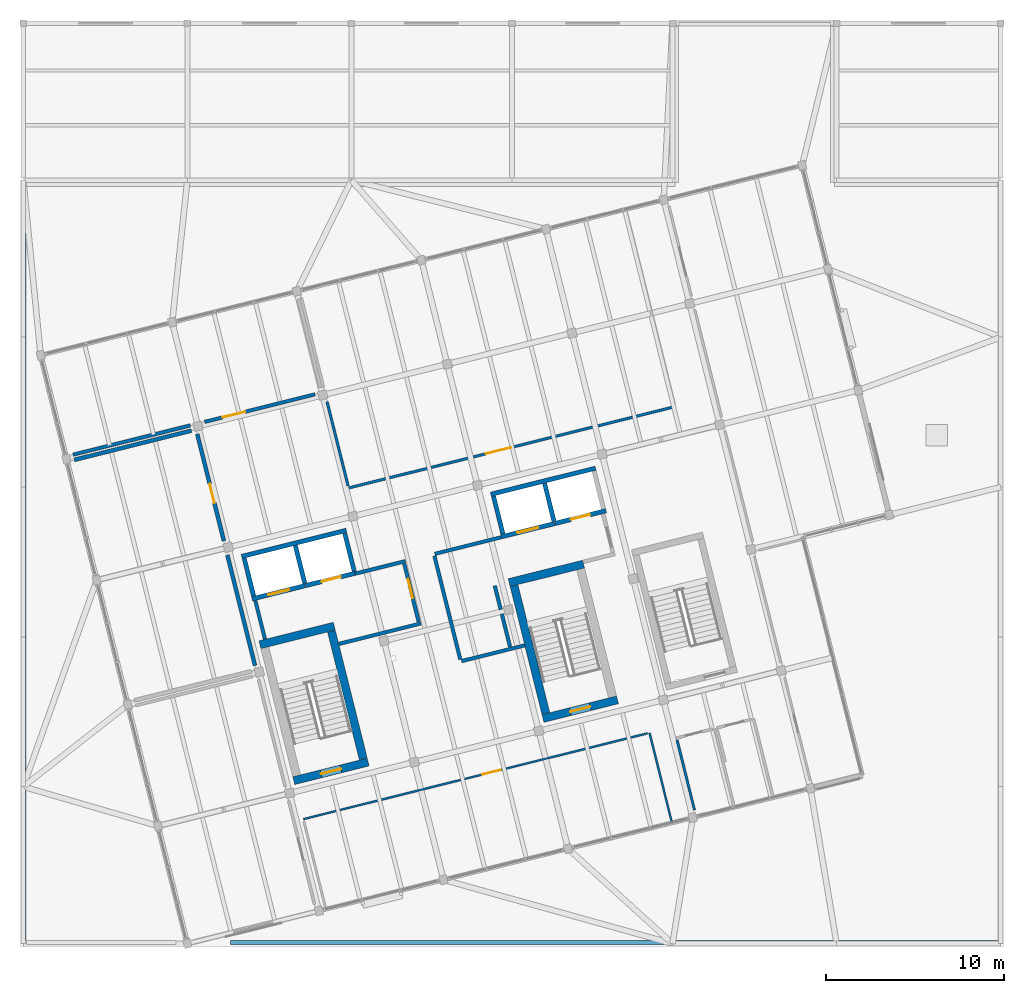
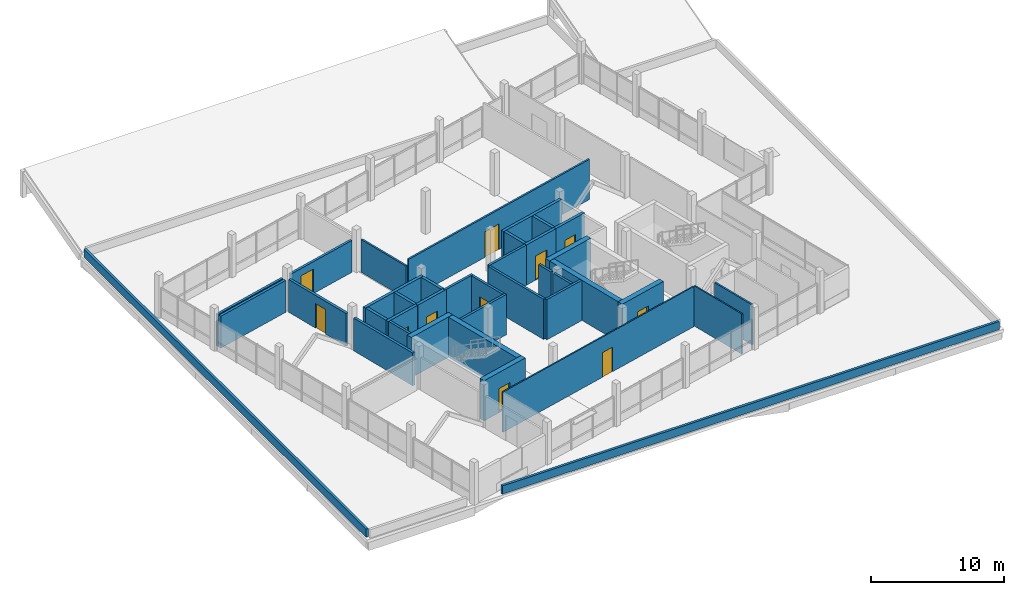
# One storey, part 34 of 37: 38 walls, 11 doors, 11 openings.
"""IFC4 building model written with IfcOpenShell, lengths in metres."""

from ifc_helpers import new_model, si_unit, direction, frame, frame_2d, origin, place, context, subcontext, project, spatial, rectangle, extrude, material, layer, layer_set, type_object, element, fill, save


model = new_model("IFC4")

# Units and contexts
model_context = context("Model", 3, precision=1e-05, world=origin(), true_north=direction((0.0, 1.0)))
body_context = subcontext(model_context, "Body", "Model", "MODEL_VIEW")
ifc_project = project(units=[si_unit("LENGTHUNIT", "METRE"), si_unit("AREAUNIT", "SQUARE_METRE"), si_unit("VOLUMEUNIT", "CUBIC_METRE"), si_unit("PLANEANGLEUNIT", "RADIAN"), si_unit("MASSUNIT", "GRAM", prefix="KILO")], contexts=[model_context])

# Site, building, storey
site_placement = place(None, origin())
site = spatial("IfcSite", under=ifc_project, at=site_placement, CompositionType="ELEMENT")
building_placement = place(site_placement, origin())
building = spatial("IfcBuilding", under=site, at=building_placement, Name="Meriwether Solvik Hall", CompositionType="ELEMENT")
storey_placement = place(building_placement, frame((0.0, 0.0, 26.10009765625)))
storey = spatial("IfcBuildingStorey", under=building, at=storey_placement, Name="L06", CompositionType="ELEMENT", Elevation=26.10009765625)

# Wall
ifc_material_1 = material(Name="Acoustic Mineral-Wool Double Gypsum Board", Category="gypsum")
ifc_layer_1 = layer(ifc_material_1, 0.219970703125)
ifc_layer_set_1 = layer_set([ifc_layer_1], Name="Acoustic Mineral-Wool Double Gypsum Board")
wall_type_1 = type_object("IfcWallType", Name="WALL-ACST-220", PredefinedType="PARTITIONING", material=ifc_layer_set_1)
wall_1_placement = place(storey_placement, frame((72.39013671875, 56.793701171875, 0.0), z_axis=(0.0, 0.0, 1.0), x_axis=(-0.241922822951, 0.970295495061, 0.0)))
element("IfcWall", 1, at=wall_1_placement, inside=storey, type_object=wall_type_1, Name="L06 Interior Partition cls_6b_e", PredefinedType="PARTITIONING", context=body_context, shape_type="SweptSolid", body=[
    extrude(rectangle(XDim=6.375, YDim=0.219970703125, at=frame_2d((3.1875, 0.0))), origin(), (0.0, 0.0, 1.0), 2.994873046875),
])

# Wall, opening, door
wall_2_placement = place(storey_placement, frame((70.648193359375, 63.77978515625, 0.0), z_axis=(0.0, 0.0, 1.0), x_axis=(-0.241884380789, 0.970305078999, 0.0)))
wall_2 = element("IfcWall", 2, at=wall_2_placement, inside=storey, type_object=wall_type_1, Name="L06 Interior Partition cls_6b_e_s2", PredefinedType="PARTITIONING", context=body_context, shape_type="SweptSolid", body=[
    extrude(rectangle(XDim=6.175048828125, YDim=0.219970703125, at=frame_2d((3.08740234375, 0.0))), origin(), (0.0, 0.0, 1.0), 2.994873046875),
])
opening_1_placement = place(wall_2_placement, frame((2.1865234375, 0.0, 0.0)))
opening_1 = element("IfcOpeningElement", 3, at=opening_1_placement, cuts=wall_2, Name="Opening D-104", PredefinedType="OPENING", context=body_context, shape_type="SweptSolid", body=[
    extrude(rectangle(XDim=1.10009765625, YDim=2.25, at=frame_2d((0.550048828125, 1.125))), frame((0.0, 0.1220703125, 0.0), z_axis=(0.0, -1.0, 0.0), x_axis=(1.0, 0.0, 0.0)), (0.0, 0.0, 1.0), 0.243896484375),
])
ifc_material_2 = material(Name="Laminated Vision Glass and Solid White Oak Timber", Category="wood")
door_type_1 = type_object("IfcDoorType", Name="DR-CLS-1100R", OperationType="SINGLE_SWING_RIGHT", PredefinedType="DOOR", material=ifc_material_2)
door_1_placement = place(opening_1_placement, origin())
door_1 = element("IfcDoor", 4, at=door_1_placement, inside=storey, type_object=door_type_1, Name="L06 Music Theory Classroom Door", OperationType="SINGLE_SWING_RIGHT", OverallHeight=2.25, OverallWidth=1.10009765625, PredefinedType="DOOR", context=body_context, shape_type="SweptSolid", body=[
    extrude(rectangle(XDim=1.10009765625, YDim=2.25, at=frame_2d((0.550048828125, 1.125))), frame((0.0, 0.02490234375, 0.0), z_axis=(0.0, -1.0, 0.0), x_axis=(1.0, 0.0, 0.0)), (0.0, 0.0, 1.0), 0.050048828125),
])
fill(opening_1, door_1)

# Walls
wall_3_placement = place(storey_placement, frame((68.83544921875, 69.96142578125, 0.0), z_axis=(0.0, 0.0, 1.0), x_axis=(-0.97029069988, -0.241942054482, 0.0)))
element("IfcWall", 5, at=wall_3_placement, inside=storey, type_object=wall_type_1, Name="L06 Interior Partition cls_6b_n", PredefinedType="PARTITIONING", context=body_context, shape_type="SweptSolid", body=[
    extrude(rectangle(XDim=6.77490234375, YDim=0.219970703125, at=frame_2d((3.387451171875, 0.0))), origin(), (0.0, 0.0, 1.0), 2.919921875),
])
ifc_material_3 = material(Name="Fire-Rated Type X Gypsum Board", Category="gypsum")
ifc_layer_2 = layer(ifc_material_3, 0.199951171875)
ifc_layer_set_2 = layer_set([ifc_layer_2], Name="Fire-Rated Type X Gypsum Board")
wall_type_2 = type_object("IfcWallType", Name="WALL-FIRE-200", PredefinedType="STANDARD", material=ifc_layer_set_2)
wall_4_placement = place(storey_placement, frame((72.94970703125, 58.269287109375, 0.0), z_axis=(0.0, 0.0, 1.0), x_axis=(-0.24194311862, 0.970290434536, 0.0)))
element("IfcWall", 6, at=wall_4_placement, inside=storey, type_object=wall_type_2, Name="L06 Interior Partition lb1_w", PredefinedType="STANDARD", context=body_context, shape_type="SweptSolid", body=[
    extrude(rectangle(XDim=2.22998046875, YDim=0.199951171875, at=frame_2d((1.114990234375, 0.0))), origin(), (0.0, 0.0, 1.0), 3.679931640625),
])
wall_5_placement = place(storey_placement, frame((77.096923828125, 58.0048828125, 0.0), z_axis=(0.0, 0.0, 1.0), x_axis=(0.970305892741, 0.241881116483, 0.0)))
element("IfcWall", 7, at=wall_5_placement, inside=storey, type_object=wall_type_2, Name="L06 Interior Partition lb1_s", PredefinedType="STANDARD", context=body_context, shape_type="SweptSolid", body=[
    extrude(rectangle(XDim=4.73974609375, YDim=0.199951171875, at=frame_2d((2.369873046875, 0.0))), origin(), (0.0, 0.0, 1.0), 3.679931640625),
])
wall_6_placement = place(storey_placement, frame((77.991943359375, 61.938232421875, 0.0), z_axis=(0.0, 0.0, 1.0), x_axis=(0.970304586447, 0.241886356621, 0.0)))
element("IfcWall", 8, at=wall_6_placement, inside=storey, type_object=wall_type_2, Name="L06 Interior Partition lb1_n_cap", PredefinedType="STANDARD", context=body_context, shape_type="SweptSolid", body=[
    extrude(rectangle(XDim=2.919921875, YDim=0.199951171875, at=frame_2d((1.4599609375, 0.0))), origin(), (0.0, 0.0, 1.0), 3.679931640625),
])

# Wall, opening, door
wall_7_placement = place(storey_placement, frame((80.75732421875, 62.50390625, 0.0), z_axis=(0.0, 0.0, 1.0), x_axis=(0.241885902723, -0.970304699599, 0.0)))
wall_7 = element("IfcWall", 9, at=wall_7_placement, inside=storey, type_object=wall_type_2, Name="L06 Interior Partition lb1_e", PredefinedType="STANDARD", context=body_context, shape_type="SweptSolid", body=[
    extrude(rectangle(XDim=3.360107421875, YDim=0.199951171875, at=frame_2d((1.68017578125, 0.0))), origin(), (0.0, 0.0, 1.0), 3.679931640625),
])
opening_2_placement = place(wall_7_placement, frame((0.889892578125, 0.0, 0.0)))
opening_2 = element("IfcOpeningElement", 10, at=opening_2_placement, cuts=wall_7, Name="Opening D-168", PredefinedType="OPENING", context=body_context, shape_type="SweptSolid", body=[
    extrude(rectangle(XDim=1.10009765625, YDim=2.199951171875, at=frame_2d((0.550048828125, 1.10009765625))), frame((0.0, 0.11181640625, 0.0), z_axis=(0.0, -1.0, 0.0), x_axis=(1.0, 0.0, 0.0)), (0.0, 0.0, 1.0), 0.223876953125),
])
ifc_material_4 = material(Name="Steel A36 Galvanised", Category="steel")
door_type_2 = type_object("IfcDoorType", Name="DR-FD60-1100L", OperationType="SINGLE_SWING_LEFT", PredefinedType="DOOR", material=ifc_material_4)
door_2_placement = place(opening_2_placement, origin())
door_2 = element("IfcDoor", 11, at=door_2_placement, inside=storey, type_object=door_type_2, Name="West FSAE Lift Lobby Door (L06)", OperationType="SINGLE_SWING_LEFT", OverallHeight=2.199951171875, OverallWidth=1.10009765625, PredefinedType="DOOR", context=body_context, shape_type="SweptSolid", body=[
    extrude(rectangle(XDim=1.10009765625, YDim=2.199951171875, at=frame_2d((0.550048828125, 1.10009765625))), frame((0.0, 0.02490234375, 0.0), z_axis=(0.0, -1.0, 0.0), x_axis=(1.0, 0.0, 0.0)), (0.0, 0.0, 1.0), 0.050048828125),
])
fill(opening_2, door_2)

# Walls
wall_8_placement = place(storey_placement, frame((82.452880859375, 62.93701171875, 0.0), z_axis=(0.0, 0.0, 1.0), x_axis=(0.241891967324, -0.970303187743, 0.0)))
element("IfcWall", 12, at=wall_8_placement, inside=storey, type_object=wall_type_2, Name="L06 Interior Partition lb2_w", PredefinedType="STANDARD", context=body_context, shape_type="SweptSolid", body=[
    extrude(rectangle(XDim=5.97998046875, YDim=0.199951171875, at=frame_2d((2.989990234375, 0.0))), origin(), (0.0, 0.0, 1.0), 3.679931640625),
])
wall_9_placement = place(storey_placement, frame((83.972412109375, 57.03955078125, 0.0), z_axis=(0.0, 0.0, 1.0), x_axis=(0.97030000841, 0.241904720251, 0.0)))
element("IfcWall", 13, at=wall_9_placement, inside=storey, type_object=wall_type_2, Name="L06 Interior Partition lb2_s_w", PredefinedType="STANDARD", context=body_context, shape_type="SweptSolid", body=[
    extrude(rectangle(XDim=3.642333984375, YDim=0.199951171875, at=frame_2d((1.8212890625, 0.0))), origin(), (0.0, 0.0, 1.0), 3.679931640625),
])
wall_10_placement = place(storey_placement, frame((86.691650390625, 57.841064453125, 0.0), z_axis=(0.0, 0.0, 1.0), x_axis=(-0.241992731984, 0.970278062035, 0.0)))
element("IfcWall", 14, at=wall_10_placement, inside=storey, type_object=wall_type_2, Name="L06 Interior Partition lb2_e_low", PredefinedType="STANDARD", context=body_context, shape_type="SweptSolid", body=[
    extrude(rectangle(XDim=1.90478515625, YDim=0.199951171875, at=frame_2d((0.952392578125, 0.0))), origin(), (0.0, 0.0, 1.0), 3.679931640625),
])
wall_11_placement = place(storey_placement, frame((86.169921875, 59.932861328125, 0.0), z_axis=(0.0, 0.0, 1.0), x_axis=(-0.241824833036, 0.970319921535, 0.0)))
element("IfcWall", 15, at=wall_11_placement, inside=storey, type_object=wall_type_2, Name="L06 Interior Partition lb2_e_low_s2", PredefinedType="STANDARD", context=body_context, shape_type="SweptSolid", body=[
    extrude(rectangle(XDim=1.3740234375, YDim=0.199951171875, at=frame_2d((0.68701171875, 0.0))), origin(), (0.0, 0.0, 1.0), 3.679931640625),
])
wall_12_placement = place(storey_placement, frame((82.47265625, 63.05517578125, 0.0), z_axis=(0.0, 0.0, 1.0), x_axis=(0.970284368558, 0.241967444366, 0.0)))
element("IfcWall", 16, at=wall_12_placement, inside=storey, type_object=wall_type_2, Name="L06 Interior Partition lb2_n_cap_w", PredefinedType="STANDARD", context=body_context, shape_type="SweptSolid", body=[
    extrude(rectangle(XDim=3.84228515625, YDim=0.199951171875, at=frame_2d((1.921142578125, 0.0))), origin(), (0.0, 0.0, 1.0), 3.679931640625),
])
wall_13_placement = place(storey_placement, frame((62.191162109375, 68.61376953125, 0.0), z_axis=(0.0, 0.0, 1.0), x_axis=(0.97029069988, 0.241942054482, 0.0)))
element("IfcWall", 17, at=wall_13_placement, inside=storey, type_object=wall_type_2, Name="L06 Interior Partition lab_nw_s", PredefinedType="STANDARD", context=body_context, shape_type="SweptSolid", body=[
    extrude(rectangle(XDim=6.77490234375, YDim=0.199951171875, at=frame_2d((3.387451171875, 0.0))), origin(), (0.0, 0.0, 1.0), 2.919921875),
])

# Wall, opening, door
wall_14_placement = place(storey_placement, frame((69.5654296875, 70.452392578125, 0.0), z_axis=(0.0, 0.0, 1.0), x_axis=(0.970297736337, 0.241913833542, 0.0)))
wall_14 = element("IfcWall", 18, at=wall_14_placement, inside=storey, type_object=wall_type_2, Name="L06 Interior Partition lab_nw_s_s2", PredefinedType="STANDARD", context=body_context, shape_type="SweptSolid", body=[
    extrude(rectangle(XDim=6.375244140625, YDim=0.199951171875, at=frame_2d((3.1875, 0.0))), origin(), (0.0, 0.0, 1.0), 2.919921875),
])
opening_3_placement = place(wall_14_placement, frame((1.039794921875, 0.0, 0.0)))
opening_3 = element("IfcOpeningElement", 19, at=opening_3_placement, cuts=wall_14, Name="Opening D-162", PredefinedType="OPENING", context=body_context, shape_type="SweptSolid", body=[
    extrude(rectangle(XDim=1.300048828125, YDim=2.25, at=frame_2d((0.64990234375, 1.125))), frame((0.0, 0.11181640625, 0.0), z_axis=(0.0, -1.0, 0.0), x_axis=(1.0, 0.0, 0.0)), (0.0, 0.0, 1.0), 0.223876953125),
])
ifc_material_5 = material(Name="Steel A36 Galvanised", Category="steel")
door_type_3 = type_object("IfcDoorType", Name="DR-FD60-1300L", OperationType="SINGLE_SWING_LEFT", PredefinedType="DOOR", material=ifc_material_5)
door_3_placement = place(opening_3_placement, origin())
door_3 = element("IfcDoor", 20, at=door_3_placement, inside=storey, type_object=door_type_3, Name="L06 Environmental Science Lab Door", OperationType="SINGLE_SWING_LEFT", OverallHeight=2.25, OverallWidth=1.300048828125, PredefinedType="DOOR", context=body_context, shape_type="SweptSolid", body=[
    extrude(rectangle(XDim=1.300048828125, YDim=2.25, at=frame_2d((0.64990234375, 1.125))), frame((0.0, 0.02490234375, 0.0), z_axis=(0.0, -1.0, 0.0), x_axis=(1.0, 0.0, 0.0)), (0.0, 0.0, 1.0), 0.050048828125),
])
fill(opening_3, door_3)

# Wall
ifc_material_6 = material(Name="Tempered Laminated Glass in Anodised Aluminium Frame", Category="aluminium")
ifc_layer_3 = layer(ifc_material_6, 0.112060546875)
ifc_layer_set_3 = layer_set([ifc_layer_3], Name="Tempered Laminated Glass in Anodised Aluminium Frame")
wall_type_3 = type_object("IfcWallType", Name="WALL-GLZ-112", PredefinedType="PARTITIONING", material=ifc_layer_set_3)
wall_15_placement = place(storey_placement, frame((95.753662109375, 48.031982421875, 0.0), z_axis=(0.0, 0.0, 1.0), x_axis=(-0.241909712362, 0.970298763817, 0.0)))
element("IfcWall", 21, at=wall_15_placement, inside=storey, type_object=wall_type_3, Name="L06 Interior Partition conf_s_e", PredefinedType="PARTITIONING", context=body_context, shape_type="SweptSolid", body=[
    extrude(rectangle(XDim=5.139892578125, YDim=0.112060546875, at=frame_2d((2.56982421875, 0.0))), origin(), (0.0, 0.0, 1.0), 3.679931640625),
])

# Wall, opening, door
wall_16_placement = place(storey_placement, frame((94.393798828125, 52.990234375, 0.0), z_axis=(0.0, 0.0, 1.0), x_axis=(-0.970296895219, -0.241917207175, 0.0)))
wall_16 = element("IfcWall", 22, at=wall_16_placement, inside=storey, type_object=wall_type_3, Name="L06 Interior Partition conf_s_n", PredefinedType="PARTITIONING", context=body_context, shape_type="SweptSolid", body=[
    extrude(rectangle(XDim=19.880126953125, YDim=0.112060546875, at=frame_2d((9.93994140625, 0.0))), origin(), (0.0, 0.0, 1.0), 3.679931640625),
])
opening_4_placement = place(wall_16_placement, frame((8.484375, 0.0, 0.0)))
opening_4 = element("IfcOpeningElement", 23, at=opening_4_placement, cuts=wall_16, Name="Opening D-175", PredefinedType="OPENING", context=body_context, shape_type="SweptSolid", body=[
    extrude(rectangle(XDim=1.050048828125, YDim=2.25, at=frame_2d((0.52490234375, 1.125))), frame((0.0, 0.06787109375, 0.0), z_axis=(0.0, -1.0, 0.0), x_axis=(1.0, 0.0, 0.0)), (0.0, 0.0, 1.0), 0.135986328125),
])
ifc_material_7 = material(Name="Solid-Core Rift White Oak Timber", Category="wood")
door_type_4 = type_object("IfcDoorType", Name="DR-FEL-1050L", OperationType="SINGLE_SWING_LEFT", PredefinedType="DOOR", material=ifc_material_7)
door_4_placement = place(opening_4_placement, origin())
door_4 = element("IfcDoor", 24, at=door_4_placement, inside=storey, type_object=door_type_4, Name="L06 Faculty Caucus Room Door", OperationType="SINGLE_SWING_LEFT", OverallHeight=2.25, OverallWidth=1.050048828125, PredefinedType="DOOR", context=body_context, shape_type="SweptSolid", body=[
    extrude(rectangle(XDim=1.050048828125, YDim=2.25, at=frame_2d((0.52490234375, 1.125))), frame((0.0, 0.02490234375, 0.0), z_axis=(0.0, -1.0, 0.0), x_axis=(1.0, 0.0, 0.0)), (0.0, 0.0, 1.0), 0.050048828125),
])
fill(opening_4, door_4)

# Walls
ifc_material_8 = material(Name="Concrete C40/50", Category="concrete")
ifc_layer_4 = layer(ifc_material_8, 0.25)
ifc_layer_set_4 = layer_set([ifc_layer_4], Name="Concrete C40/50")
wall_type_4 = type_object("IfcWallType", Name="WALL-HOIST-250", PredefinedType="SHEAR", material=ifc_layer_set_4)
wall_17_placement = place(storey_placement, frame((77.509765625, 64.36865234375, 0.0), z_axis=(0.0, 0.0, 1.0), x_axis=(-0.970296596103, -0.241918406889, 0.0)))
element("IfcWall", 25, at=wall_17_placement, inside=storey, type_object=wall_type_4, Name="Hoistway BANK1 North Wall (L06)", PredefinedType="SHEAR", context=body_context, shape_type="SweptSolid", body=[
    extrude(rectangle(XDim=6.050048828125, YDim=0.25, at=frame_2d((3.02490234375, 0.0))), origin(), (0.0, 0.0, 1.0), 3.679931640625),
])
for number, where, z_axis, x_axis, name in (
    (26, (71.793212890625, 62.80419921875, 0.0), (0.0, 0.0, 1.0), (0.242008581424, -0.970274108959, 0.0), "Hoistway BANK1 West Wall (L06)"),
    (27, (77.948486328125, 62.09228515625, 0.0), (0.0, 0.0, 1.0), (-0.241903146974, 0.970300400641, 0.0), "Hoistway BANK1 East Wall (L06)"),
    (28, (75.18310546875, 61.402587890625, 0.0), (0.0, 0.0, 1.0), (-0.241903146974, 0.970300400641, 0.0), "Hoistway BANK1 Divider Pier (L06)"),
):
    element("IfcWall", number, at=place(storey_placement, frame(where, z_axis=z_axis, x_axis=x_axis)), inside=storey, type_object=wall_type_4, Name=name, PredefinedType="SHEAR", context=body_context, shape_type="SweptSolid", body=[
        extrude(rectangle(XDim=2.179931640625, YDim=0.25, at=frame_2d((1.08984375, 0.0))), origin(), (0.0, 0.0, 1.0), 3.679931640625),
    ])

# Wall, opening, door
wall_18_placement = place(storey_placement, frame((72.232177734375, 60.52783203125, 0.0), z_axis=(0.0, 0.0, 1.0), x_axis=(0.970296930481, 0.241917065747, 0.0)))
wall_18 = element("IfcWall", 29, at=wall_18_placement, inside=storey, type_object=wall_type_4, Name="Lift LF-01 Landing Wall (L06)", PredefinedType="SHEAR", context=body_context, shape_type="SweptSolid", body=[
    extrude(rectangle(XDim=3.06494140625, YDim=0.25, at=frame_2d((1.532470703125, 0.0))), origin(), (0.0, 0.0, 1.0), 3.679931640625),
])
opening_5_placement = place(wall_18_placement, frame((0.9326171875, 0.0, 0.0)))
opening_5 = element("IfcOpeningElement", 30, at=opening_5_placement, cuts=wall_18, Name="Opening LD-01", PredefinedType="OPENING", context=body_context, shape_type="SweptSolid", body=[
    extrude(rectangle(XDim=1.199951171875, YDim=2.199951171875, at=frame_2d((0.60009765625, 1.10009765625))), frame((0.0, 0.136962890625, 0.0), z_axis=(0.0, -1.0, 0.0), x_axis=(1.0, 0.0, 0.0)), (0.0, 0.0, 1.0), 0.27392578125),
])
ifc_material_9 = material(Name="Stainless Steel AISI 316", Category="steel")
door_type_5 = type_object("IfcDoorType", Name="DR-LIFT-FSAE", OperationType="DOUBLE_DOOR_SLIDING", PredefinedType="DOOR", material=ifc_material_9)
door_5_placement = place(opening_5_placement, origin())
door_5 = element("IfcDoor", 31, at=door_5_placement, inside=storey, type_object=door_type_5, Name="Lift Landing Door LF-01 (L06)", OperationType="DOUBLE_DOOR_SLIDING", OverallHeight=2.199951171875, OverallWidth=1.199951171875, PredefinedType="DOOR", context=body_context, shape_type="SweptSolid", body=[
    extrude(rectangle(XDim=1.199951171875, YDim=2.199951171875, at=frame_2d((0.60009765625, 1.10009765625))), frame((0.0, 0.02490234375, 0.0), z_axis=(0.0, -1.0, 0.0), x_axis=(1.0, 0.0, 0.0)), (0.0, 0.0, 1.0), 0.050048828125),
])
fill(opening_5, door_5)

wall_19_placement = place(storey_placement, frame((75.225341796875, 61.274169921875, 0.0), z_axis=(0.0, 0.0, 1.0), x_axis=(0.970297295425, 0.241915601999, 0.0)))
wall_19 = element("IfcWall", 32, at=wall_19_placement, inside=storey, type_object=wall_type_4, Name="Lift LP-01 Landing Wall (L06)", PredefinedType="SHEAR", context=body_context, shape_type="SweptSolid", body=[
    extrude(rectangle(XDim=2.965087890625, YDim=0.25, at=frame_2d((1.482421875, 0.0))), origin(), (0.0, 0.0, 1.0), 3.679931640625),
])
opening_6_placement = place(wall_19_placement, frame((0.9326171875, 0.0, 0.0)))
opening_6 = element("IfcOpeningElement", 33, at=opening_6_placement, cuts=wall_19, Name="Opening LD-03", PredefinedType="OPENING", context=body_context, shape_type="SweptSolid", body=[
    extrude(rectangle(XDim=1.10009765625, YDim=2.14990234375, at=frame_2d((0.550048828125, 1.074951171875))), frame((0.0, 0.136962890625, 0.0), z_axis=(0.0, -1.0, 0.0), x_axis=(1.0, 0.0, 0.0)), (0.0, 0.0, 1.0), 0.27392578125),
])
ifc_material_10 = material(Name="Stainless Steel AISI 316", Category="steel")
door_type_6 = type_object("IfcDoorType", Name="DR-LIFT-PASS", OperationType="DOUBLE_DOOR_SLIDING", PredefinedType="DOOR", material=ifc_material_10)
door_6_placement = place(opening_6_placement, origin())
door_6 = element("IfcDoor", 34, at=door_6_placement, inside=storey, type_object=door_type_6, Name="Lift Landing Door LP-01 (L06)", OperationType="DOUBLE_DOOR_SLIDING", OverallHeight=2.14990234375, OverallWidth=1.10009765625, PredefinedType="DOOR", context=body_context, shape_type="SweptSolid", body=[
    extrude(rectangle(XDim=1.10009765625, YDim=2.14990234375, at=frame_2d((0.550048828125, 1.074951171875))), frame((0.0, 0.02490234375, 0.0), z_axis=(0.0, -1.0, 0.0), x_axis=(1.0, 0.0, 0.0)), (0.0, 0.0, 1.0), 0.050048828125),
])
fill(opening_6, door_6)

# Walls
wall_20_placement = place(storey_placement, frame((91.48193359375, 67.852294921875, 0.0), z_axis=(0.0, 0.0, 1.0), x_axis=(-0.970296596103, -0.241918406889, 0.0)))
element("IfcWall", 35, at=wall_20_placement, inside=storey, type_object=wall_type_4, Name="Hoistway BANK2 North Wall (L06)", PredefinedType="SHEAR", context=body_context, shape_type="SweptSolid", body=[
    extrude(rectangle(XDim=6.050048828125, YDim=0.25, at=frame_2d((3.02490234375, 0.0))), origin(), (0.0, 0.0, 1.0), 3.679931640625),
])
for number, where, z_axis, x_axis, name in (
    (36, (85.765625, 66.287841796875, 0.0), (0.0, 0.0, 1.0), (0.241903146974, -0.970300400641, 0.0), "Hoistway BANK2 West Wall (L06)"),
    (37, (89.1552734375, 64.886474609375, 0.0), (0.0, 0.0, 1.0), (-0.241903146974, 0.970300400641, 0.0), "Hoistway BANK2 Divider Pier (L06)"),
):
    element("IfcWall", number, at=place(storey_placement, frame(where, z_axis=z_axis, x_axis=x_axis)), inside=storey, type_object=wall_type_4, Name=name, PredefinedType="SHEAR", context=body_context, shape_type="SweptSolid", body=[
        extrude(rectangle(XDim=2.179931640625, YDim=0.25, at=frame_2d((1.08984375, 0.0))), origin(), (0.0, 0.0, 1.0), 3.679931640625),
    ])

# Wall, opening, door
wall_21_placement = place(storey_placement, frame((86.204345703125, 64.011474609375, 0.0), z_axis=(0.0, 0.0, 1.0), x_axis=(0.970296930481, 0.241917065747, 0.0)))
wall_21 = element("IfcWall", 38, at=wall_21_placement, inside=storey, type_object=wall_type_4, Name="Lift LF-02 Landing Wall (L06)", PredefinedType="SHEAR", context=body_context, shape_type="SweptSolid", body=[
    extrude(rectangle(XDim=3.06494140625, YDim=0.25, at=frame_2d((1.532470703125, 0.0))), origin(), (0.0, 0.0, 1.0), 3.679931640625),
])
opening_7_placement = place(wall_21_placement, frame((0.9326171875, 0.0, 0.0)))
opening_7 = element("IfcOpeningElement", 39, at=opening_7_placement, cuts=wall_21, Name="Opening LD-02", PredefinedType="OPENING", context=body_context, shape_type="SweptSolid", body=[
    extrude(rectangle(XDim=1.199951171875, YDim=2.199951171875, at=frame_2d((0.60009765625, 1.10009765625))), frame((0.0, 0.136962890625, 0.0), z_axis=(0.0, -1.0, 0.0), x_axis=(1.0, 0.0, 0.0)), (0.0, 0.0, 1.0), 0.27392578125),
])
door_7_placement = place(opening_7_placement, origin())
door_7 = element("IfcDoor", 40, at=door_7_placement, inside=storey, type_object=door_type_5, Name="Lift Landing Door LF-02 (L06)", OperationType="DOUBLE_DOOR_SLIDING", OverallHeight=2.199951171875, OverallWidth=1.199951171875, PredefinedType="DOOR", context=body_context, shape_type="SweptSolid", body=[
    extrude(rectangle(XDim=1.199951171875, YDim=2.199951171875, at=frame_2d((0.60009765625, 1.10009765625))), frame((0.0, 0.02490234375, 0.0), z_axis=(0.0, -1.0, 0.0), x_axis=(1.0, 0.0, 0.0)), (0.0, 0.0, 1.0), 0.050048828125),
])
fill(opening_7, door_7)

wall_22_placement = place(storey_placement, frame((89.19775390625, 64.7578125, 0.0), z_axis=(0.0, 0.0, 1.0), x_axis=(0.970297295425, 0.241915601999, 0.0)))
wall_22 = element("IfcWall", 41, at=wall_22_placement, inside=storey, type_object=wall_type_4, Name="Lift LP-02 Landing Wall (L06)", PredefinedType="SHEAR", context=body_context, shape_type="SweptSolid", body=[
    extrude(rectangle(XDim=2.965087890625, YDim=0.25, at=frame_2d((1.482421875, 0.0))), origin(), (0.0, 0.0, 1.0), 3.679931640625),
])
opening_8_placement = place(wall_22_placement, frame((0.9326171875, 0.0, 0.0)))
opening_8 = element("IfcOpeningElement", 42, at=opening_8_placement, cuts=wall_22, Name="Opening LD-04", PredefinedType="OPENING", context=body_context, shape_type="SweptSolid", body=[
    extrude(rectangle(XDim=1.10009765625, YDim=2.14990234375, at=frame_2d((0.550048828125, 1.074951171875))), frame((0.0, 0.136962890625, 0.0), z_axis=(0.0, -1.0, 0.0), x_axis=(1.0, 0.0, 0.0)), (0.0, 0.0, 1.0), 0.27392578125),
])
door_8_placement = place(opening_8_placement, origin())
door_8 = element("IfcDoor", 43, at=door_8_placement, inside=storey, type_object=door_type_6, Name="Lift Landing Door LP-02 (L06)", OperationType="DOUBLE_DOOR_SLIDING", OverallHeight=2.14990234375, OverallWidth=1.10009765625, PredefinedType="DOOR", context=body_context, shape_type="SweptSolid", body=[
    extrude(rectangle(XDim=1.10009765625, YDim=2.14990234375, at=frame_2d((0.550048828125, 1.074951171875))), frame((0.0, 0.02490234375, 0.0), z_axis=(0.0, -1.0, 0.0), x_axis=(1.0, 0.0, 0.0)), (0.0, 0.0, 1.0), 0.050048828125),
])
fill(opening_8, door_8)

# Walls
ifc_material_11 = material(Name="Reinforced Concrete C35/45", Category="concrete")
ifc_layer_5 = layer(ifc_material_11, 0.2099609375)
ifc_layer_set_5 = layer_set([ifc_layer_5], Name="Reinforced Concrete C35/45")
wall_type_5 = type_object("IfcWallType", Name="WALL-PAR-210", PredefinedType="PARAPET", material=ifc_layer_set_5)
wall_23_placement = place(storey_placement, frame((59.4599609375, 41.3701171875, 0.0), z_axis=(0.0, 0.0, 1.0), x_axis=(0.0, 1.0, 0.0)))
element("IfcWall", 44, at=wall_23_placement, inside=storey, type_object=wall_type_5, Name="Shoulder Collar Roof Parapet 2", PredefinedType="PARAPET", context=body_context, shape_type="SweptSolid", body=[
    extrude(rectangle(XDim=42.27978515625, YDim=0.2099609375, at=frame_2d((21.139892578125, 0.0))), origin(), (0.0, 0.0, 1.0), 0.75),
])
wall_24_placement = place(storey_placement, frame((114.030029296875, 41.260009765625, 0.0), z_axis=(0.0, 0.0, 1.0), x_axis=(-1.0, 0.0, 0.0)))
element("IfcWall", 45, at=wall_24_placement, inside=storey, type_object=wall_type_5, Name="Shoulder Collar Roof Parapet 9", PredefinedType="PARAPET", context=body_context, shape_type="SweptSolid", body=[
    extrude(rectangle(XDim=43.0126953125, YDim=0.2099609375, at=frame_2d((21.50634765625, 0.0))), origin(), (0.0, 0.0, 1.0), 0.75),
])

# Wall, opening, door
ifc_material_12 = material(Name="Gypsum Board Partition", Category="gypsum")
ifc_layer_6 = layer(ifc_material_12, 0.14990234375)
ifc_layer_set_6 = layer_set([ifc_layer_6], Name="Gypsum Board Partition")
wall_type_6 = type_object("IfcWallType", Name="WALL-PART-150", PredefinedType="PARTITIONING", material=ifc_layer_set_6)
wall_25_placement = place(storey_placement, frame((77.638427734375, 66.745361328125, 0.0), z_axis=(0.0, 0.0, 1.0), x_axis=(0.970294682433, 0.241926082188, 0.0)))
wall_25 = element("IfcWall", 46, at=wall_25_placement, inside=storey, type_object=wall_type_6, Name="L06 Interior Partition sem_nc_s", PredefinedType="PARTITIONING", context=body_context, shape_type="SweptSolid", body=[
    extrude(rectangle(XDim=18.85009765625, YDim=0.14990234375, at=frame_2d((9.425048828125, 0.0))), origin(), (0.0, 0.0, 1.0), 3.679931640625),
])
opening_9_placement = place(wall_25_placement, frame((7.939208984375, 0.0, 0.0)))
opening_9 = element("IfcOpeningElement", 47, at=opening_9_placement, cuts=wall_25, Name="Opening D-152", PredefinedType="OPENING", context=body_context, shape_type="SweptSolid", body=[
    extrude(rectangle(XDim=1.449951171875, YDim=2.35009765625, at=frame_2d((0.72509765625, 1.175048828125))), frame((0.0, 0.0869140625, 0.0), z_axis=(0.0, -1.0, 0.0), x_axis=(1.0, 0.0, 0.0)), (0.0, 0.0, 1.0), 0.173828125),
])
ifc_material_13 = material(Name="Laminated Vision Glass and Solid White Oak Timber", Category="wood")
door_type_7 = type_object("IfcDoorType", Name="DR-CONF-1450", OperationType="DOUBLE_DOOR_SINGLE_SWING", PredefinedType="DOOR", material=ifc_material_13)
door_9_placement = place(opening_9_placement, origin())
door_9 = element("IfcDoor", 48, at=door_9_placement, inside=storey, type_object=door_type_7, Name="L06 Graduate Seminar Suite Door", OperationType="DOUBLE_DOOR_SINGLE_SWING", OverallHeight=2.35009765625, OverallWidth=1.449951171875, PredefinedType="DOOR", context=body_context, shape_type="SweptSolid", body=[
    extrude(rectangle(XDim=1.449951171875, YDim=2.35009765625, at=frame_2d((0.72509765625, 1.175048828125))), frame((0.0, 0.02490234375, 0.0), z_axis=(0.0, -1.0, 0.0), x_axis=(1.0, 0.0, 0.0)), (0.0, 0.0, 1.0), 0.050048828125),
])
fill(opening_9, door_9)

# Wall
wall_26_placement = place(storey_placement, frame((76.43212890625, 71.583740234375, 0.0), z_axis=(0.0, 0.0, 1.0), x_axis=(0.241909950511, -0.970298704443, 0.0)))
element("IfcWall", 49, at=wall_26_placement, inside=storey, type_object=wall_type_6, Name="L06 Interior Partition sem_nc_w_s2", PredefinedType="PARTITIONING", context=body_context, shape_type="SweptSolid", body=[
    extrude(rectangle(XDim=4.866455078125, YDim=0.14990234375, at=frame_2d((2.43310546875, 0.0))), origin(), (0.0, 0.0, 1.0), 2.994873046875),
])

# Wall, opening, door
ifc_material_14 = material(Name="Concrete C45/55", Category="concrete")
ifc_layer_7 = layer(ifc_material_14, 0.449951171875)
ifc_layer_set_7 = layer_set([ifc_layer_7], Name="Concrete C45/55")
wall_type_7 = type_object("IfcWallType", Name="WALL-RC-450", PredefinedType="SHEAR", material=ifc_layer_set_7)
wall_27_placement = place(storey_placement, frame((74.566162109375, 50.33984375, 0.0), z_axis=(0.0, 0.0, 1.0), x_axis=(0.970292610647, 0.241934391361, 0.0)))
wall_27 = element("IfcWall", 50, at=wall_27_placement, inside=storey, type_object=wall_type_7, Name="CORE-1 Shear Wall S (L06)", PredefinedType="SHEAR", context=body_context, shape_type="SweptSolid", body=[
    extrude(rectangle(XDim=4.2998046875, YDim=0.449951171875, at=frame_2d((2.14990234375, 0.0))), origin(), (0.0, 0.0, 1.0), 3.679931640625),
])
opening_10_placement = place(wall_27_placement, frame((1.574951171875, 0.0, 0.0)))
opening_10 = element("IfcOpeningElement", 51, at=opening_10_placement, cuts=wall_27, Name="Opening D-189", PredefinedType="OPENING", context=body_context, shape_type="SweptSolid", body=[
    extrude(rectangle(XDim=1.14990234375, YDim=2.199951171875, at=frame_2d((0.574951171875, 1.10009765625))), frame((0.0, 0.23681640625, 0.0), z_axis=(0.0, -1.0, 0.0), x_axis=(1.0, 0.0, 0.0)), (0.0, 0.0, 1.0), 0.473876953125),
])
ifc_material_15 = material(Name="Steel A36 Galvanised", Category="steel")
door_type_8 = type_object("IfcDoorType", Name="DR-FD90-1150L", OperationType="SINGLE_SWING_LEFT", PredefinedType="DOOR", material=ifc_material_15)
door_10_placement = place(opening_10_placement, origin())
door_10 = element("IfcDoor", 52, at=door_10_placement, inside=storey, type_object=door_type_8, Name="Stair ST-01 Smokeproof Exit Door (L06)", OperationType="SINGLE_SWING_LEFT", OverallHeight=2.199951171875, OverallWidth=1.14990234375, PredefinedType="DOOR", context=body_context, shape_type="SweptSolid", body=[
    extrude(rectangle(XDim=1.14990234375, YDim=2.199951171875, at=frame_2d((0.574951171875, 1.10009765625))), frame((0.0, 0.02490234375, 0.0), z_axis=(0.0, -1.0, 0.0), x_axis=(1.0, 0.0, 0.0)), (0.0, 0.0, 1.0), 0.050048828125),
])
fill(opening_10, door_10)

# Walls
wall_28_placement = place(storey_placement, frame((76.83935546875, 58.996826171875, 0.0), z_axis=(0.0, 0.0, 1.0), x_axis=(-0.970295933763, -0.241921063415, 0.0)))
element("IfcWall", 53, at=wall_28_placement, inside=storey, type_object=wall_type_7, Name="CORE-1 Shear Wall N (L06)", PredefinedType="SHEAR", context=body_context, shape_type="SweptSolid", body=[
    extrude(rectangle(XDim=4.300048828125, YDim=0.449951171875, at=frame_2d((2.14990234375, 0.0))), origin(), (0.0, 0.0, 1.0), 3.679931640625),
])
wall_29_placement = place(storey_placement, frame((78.463134765625, 51.5537109375, 0.0), z_axis=(0.0, 0.0, 1.0), x_axis=(-0.241928426141, 0.970294098006, 0.0)))
element("IfcWall", 54, at=wall_29_placement, inside=storey, type_object=wall_type_7, Name="CORE-1 Shear Wall E (L06)", PredefinedType="SHEAR", context=body_context, shape_type="SweptSolid", body=[
    extrude(rectangle(XDim=7.3798828125, YDim=0.449951171875, at=frame_2d((3.68994140625, 0.0))), origin(), (0.0, 0.0, 1.0), 3.679931640625),
])

# Wall, opening, door
wall_30_placement = place(storey_placement, frame((88.538330078125, 53.823486328125, 0.0), z_axis=(0.0, 0.0, 1.0), x_axis=(0.970295933763, 0.241921063415, 0.0)))
wall_30 = element("IfcWall", 55, at=wall_30_placement, inside=storey, type_object=wall_type_7, Name="CORE-2 Shear Wall S (L06)", PredefinedType="SHEAR", context=body_context, shape_type="SweptSolid", body=[
    extrude(rectangle(XDim=4.300048828125, YDim=0.449951171875, at=frame_2d((2.14990234375, 0.0))), origin(), (0.0, 0.0, 1.0), 3.679931640625),
])
opening_11_placement = place(wall_30_placement, frame((1.574951171875, 0.0, 0.0)))
opening_11 = element("IfcOpeningElement", 56, at=opening_11_placement, cuts=wall_30, Name="Opening D-148", PredefinedType="OPENING", context=body_context, shape_type="SweptSolid", body=[
    extrude(rectangle(XDim=1.14990234375, YDim=2.199951171875, at=frame_2d((0.574951171875, 1.10009765625))), frame((0.0, 0.23681640625, 0.0), z_axis=(0.0, -1.0, 0.0), x_axis=(1.0, 0.0, 0.0)), (0.0, 0.0, 1.0), 0.473876953125),
])
ifc_material_16 = material(Name="Steel A36 Galvanised", Category="steel")
door_type_9 = type_object("IfcDoorType", Name="DR-FD90-1150R", OperationType="SINGLE_SWING_RIGHT", PredefinedType="DOOR", material=ifc_material_16)
door_11_placement = place(opening_11_placement, origin())
door_11 = element("IfcDoor", 57, at=door_11_placement, inside=storey, type_object=door_type_9, Name="Stair ST-02 Smokeproof Exit Door (L06)", OperationType="SINGLE_SWING_RIGHT", OverallHeight=2.199951171875, OverallWidth=1.14990234375, PredefinedType="DOOR", context=body_context, shape_type="SweptSolid", body=[
    extrude(rectangle(XDim=1.14990234375, YDim=2.199951171875, at=frame_2d((0.574951171875, 1.10009765625))), frame((0.0, 0.02490234375, 0.0), z_axis=(0.0, -1.0, 0.0), x_axis=(1.0, 0.0, 0.0)), (0.0, 0.0, 1.0), 0.050048828125),
])
fill(opening_11, door_11)

# Walls
wall_31_placement = place(storey_placement, frame((90.8115234375, 62.48046875, 0.0), z_axis=(0.0, 0.0, 1.0), x_axis=(-0.970309259708, -0.2418676095, 0.0)))
element("IfcWall", 58, at=wall_31_placement, inside=storey, type_object=wall_type_7, Name="CORE-2 Shear Wall N (L06)", PredefinedType="SHEAR", context=body_context, shape_type="SweptSolid", body=[
    extrude(rectangle(XDim=4.300048828125, YDim=0.449951171875, at=frame_2d((2.14990234375, 0.0))), origin(), (0.0, 0.0, 1.0), 3.679931640625),
])
wall_32_placement = place(storey_placement, frame((86.91455078125, 61.266845703125, 0.0), z_axis=(0.0, 0.0, 1.0), x_axis=(0.241889515465, -0.970303798976, 0.0)))
element("IfcWall", 59, at=wall_32_placement, inside=storey, type_object=wall_type_7, Name="CORE-2 Shear Wall W (L06)", PredefinedType="SHEAR", context=body_context, shape_type="SweptSolid", body=[
    extrude(rectangle(XDim=7.380126953125, YDim=0.449951171875, at=frame_2d((3.68994140625, 0.0))), origin(), (0.0, 0.0, 1.0), 3.679931640625),
])
ifc_material_17 = material(Name="Moisture-Resistant Gypsum Board", Category="gypsum")
ifc_layer_8 = layer(ifc_material_17, 0.139892578125)
ifc_layer_set_8 = layer_set([ifc_layer_8], Name="Moisture-Resistant Gypsum Board")
wall_type_8 = type_object("IfcWallType", Name="WALL-WET-140", PredefinedType="PLUMBINGWALL", material=ifc_layer_set_8)
wall_33_placement = place(storey_placement, frame((96.054931640625, 52.61083984375, 0.0), z_axis=(0.0, 0.0, 1.0), x_axis=(0.241938297122, -0.97029163677, 0.0)))
element("IfcWall", 60, at=wall_33_placement, inside=storey, type_object=wall_type_8, Name="L06 Interior Partition wc_m_w", PredefinedType="PLUMBINGWALL", context=body_context, shape_type="SweptSolid", body=[
    extrude(rectangle(XDim=4.03955078125, YDim=0.139892578125, at=frame_2d((2.019775390625, 0.0))), origin(), (0.0, 0.0, 1.0), 3.679931640625),
])

save(model, "model.ifc")
